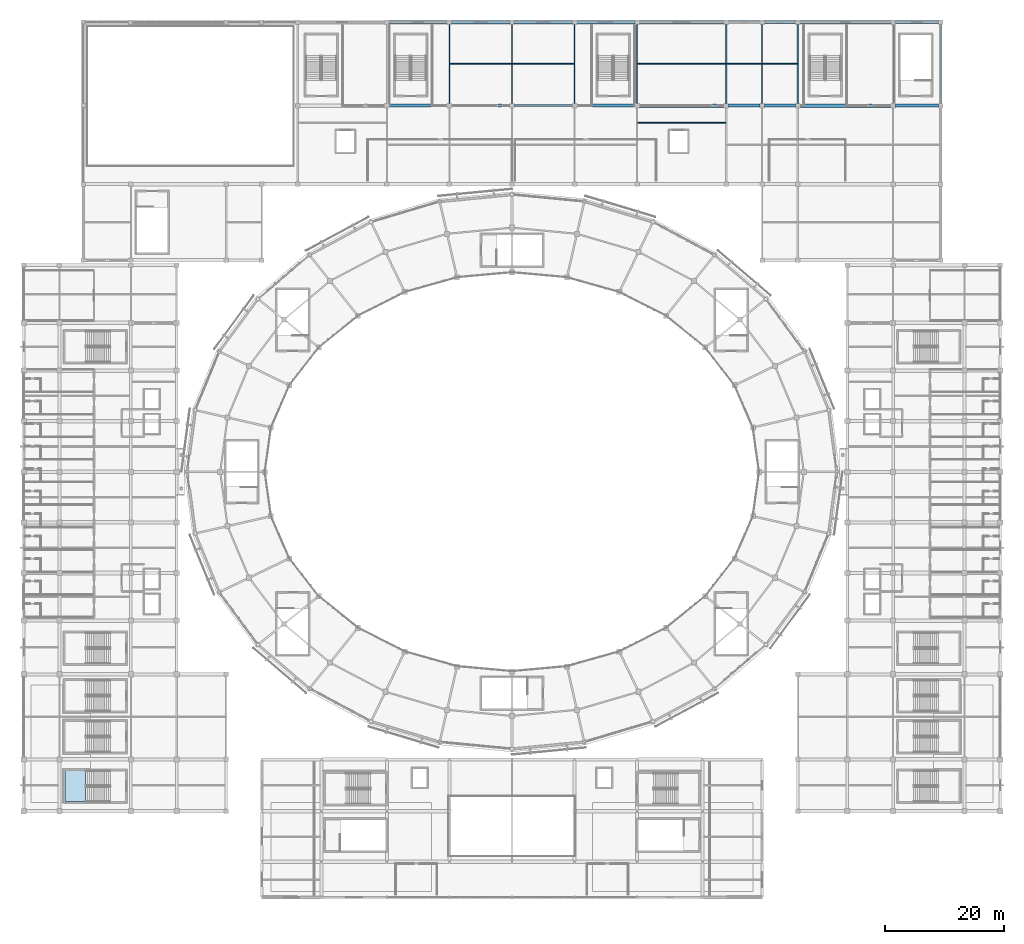
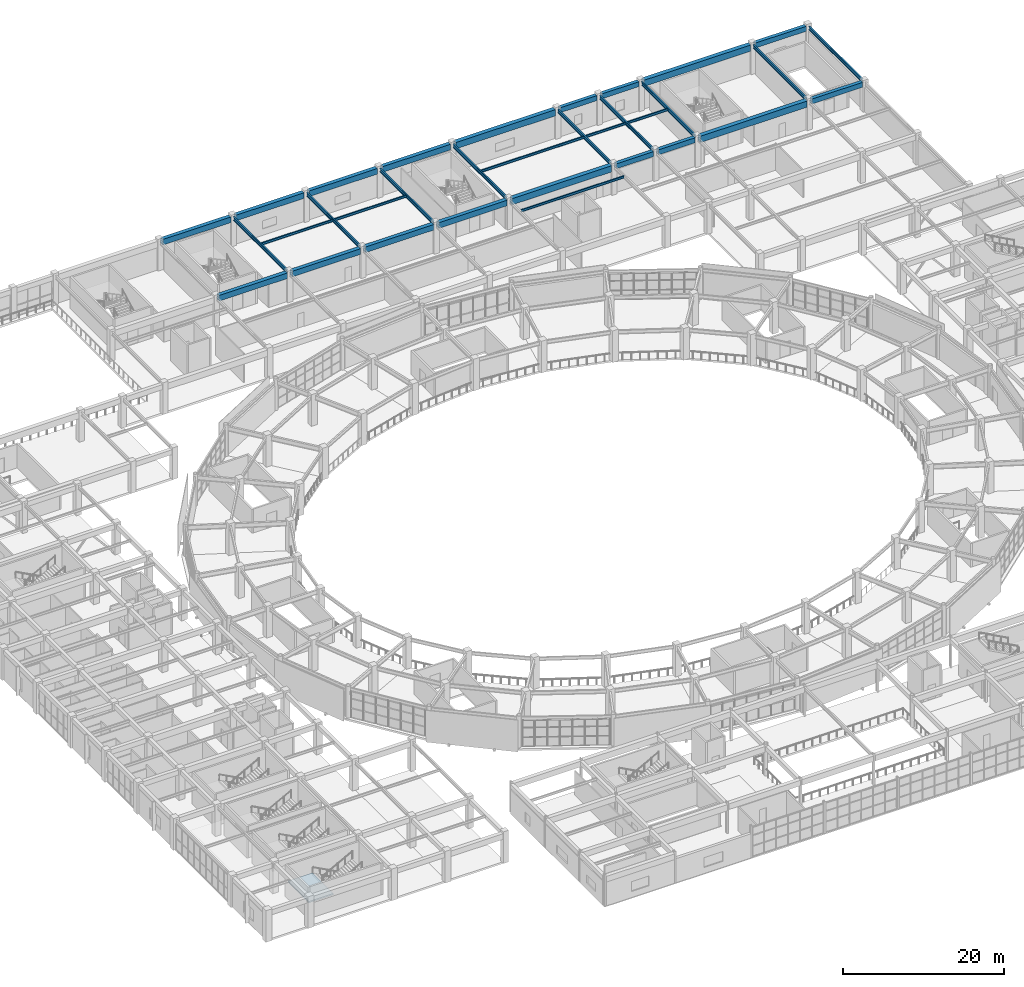
# One storey, part 65 of 112: 33 beams, 1 slab, 1 element without a shape of its own.
"""IFC4 building model written with IfcOpenShell, lengths in metres."""

from ifc_helpers import new_model, si_unit, direction, frame, origin, origin_2d, place, context, subcontext, project, spatial, polyline, rectangle, i_section, outline, extrude, material, layer, layer_set, material_profile, profile_set, type_object, element, aggregate, save


model = new_model("IFC4")

# Units and contexts
model_context = context("Model", 3, precision=1e-05, world=origin(), true_north=direction((0.0, 1.0)))
body_context = subcontext(model_context, "Body", "Model", "MODEL_VIEW")
ifc_project = project(units=[si_unit("LENGTHUNIT", "METRE"), si_unit("AREAUNIT", "SQUARE_METRE"), si_unit("VOLUMEUNIT", "CUBIC_METRE"), si_unit("PLANEANGLEUNIT", "RADIAN"), si_unit("MASSUNIT", "GRAM", prefix="KILO")], contexts=[model_context])

# Site, building, storey
site_placement = place(None, origin())
site = spatial("IfcSite", under=ifc_project, at=site_placement, CompositionType="ELEMENT")
building_placement = place(site_placement, origin())
building = spatial("IfcBuilding", under=site, at=building_placement, Name="Cuetzalor Civic Arena", CompositionType="ELEMENT")
storey_placement = place(building_placement, frame((0.0, 0.0, 11.39990234375)))
storey = spatial("IfcBuildingStorey", under=building, at=storey_placement, Name="L02", CompositionType="ELEMENT", Elevation=11.39990234375)

# Beams
ifc_material_1 = material(Name="Concrete C40/50", Category="concrete")
ifc_material_profile_1 = material_profile(ifc_material_1, rectangle(XDim=0.5, YDim=0.75, at=origin_2d()), Name="RC 500x750")
ifc_profile_set_1 = profile_set([ifc_material_profile_1], Name="Concrete C40/50")
beam_type_1 = type_object("IfcBeamType", Name="ConcreteFrameBeam_500x750", PredefinedType="BEAM", material=ifc_profile_set_1)
for number, where, z_axis, x_axis, name in (
    (1, (36.364990234375, 61.5, 4.10498046875), (1.0, 0.0, 0.0), (0.0, 1.0, 0.0), "Frame Girder V5-L02-X0804"),
    (2, (42.364990234375, 61.5, 4.10498046875), (1.0, 0.0, 0.0), (0.0, 1.0, 0.0), "Frame Girder V5-L02-X0805"),
):
    element("IfcBeam", number, at=place(storey_placement, frame(where, z_axis=z_axis, x_axis=x_axis)), inside=storey, type_object=beam_type_1, Name=name, PredefinedType="BEAM", context=body_context, shape_type="SweptSolid", body=[
        extrude(rectangle(XDim=0.5, YDim=0.75, at=origin_2d()), origin(), (0.0, 0.0, 1.0), 5.27001953125),
    ])
beam_1_placement = place(storey_placement, frame((64.364990234375, 61.5, 4.10498046875), z_axis=(1.0, 0.0, 0.0), x_axis=(0.0, 1.0, 0.0)))
element("IfcBeam", 3, at=beam_1_placement, inside=storey, type_object=beam_type_1, Name="Frame Girder V5-L02-X0807", PredefinedType="BEAM", context=body_context, shape_type="SweptSolid", body=[
    extrude(rectangle(XDim=0.5, YDim=0.75, at=origin_2d()), origin(), (0.0, 0.0, 1.0), 7.27001953125),
])
for number, where, z_axis, x_axis, name in (
    (4, (36.364990234375, 75.5, 4.10498046875), (1.0, 0.0, 0.0), (0.0, 1.0, 0.0), "Frame Girder V5-L02-X0818"),
    (5, (42.364990234375, 75.5, 4.10498046875), (1.0, 0.0, 0.0), (0.0, 1.0, 0.0), "Frame Girder V5-L02-X0819"),
):
    element("IfcBeam", number, at=place(storey_placement, frame(where, z_axis=z_axis, x_axis=x_axis)), inside=storey, type_object=beam_type_1, Name=name, PredefinedType="BEAM", context=body_context, shape_type="SweptSolid", body=[
        extrude(rectangle(XDim=0.5, YDim=0.75, at=origin_2d()), origin(), (0.0, 0.0, 1.0), 5.27001953125),
    ])
beam_2_placement = place(storey_placement, frame((64.364990234375, 75.5, 4.10498046875), z_axis=(1.0, 0.0, 0.0), x_axis=(0.0, 1.0, 0.0)))
element("IfcBeam", 6, at=beam_2_placement, inside=storey, type_object=beam_type_1, Name="Frame Girder V5-L02-X0821", PredefinedType="BEAM", context=body_context, shape_type="SweptSolid", body=[
    extrude(rectangle(XDim=0.5, YDim=0.75, at=origin_2d()), origin(), (0.0, 0.0, 1.0), 7.27001953125),
])
ifc_material_2 = material(Name="Concrete C40/50", Category="concrete")
ifc_material_profile_2 = material_profile(ifc_material_2, rectangle(XDim=0.550048828125, YDim=0.85009765625, at=origin_2d()), Name="RC 550x850")
ifc_profile_set_2 = profile_set([ifc_material_profile_2], Name="Concrete C40/50")
beam_type_2 = type_object("IfcBeamType", Name="ConcreteFrameBeam_550x850", PredefinedType="BEAM", material=ifc_profile_set_2)
for number, where, z_axis, x_axis, name in (
    (7, (-20.635009765625, 61.5, 4.05517578125), (1.0, 0.0, 0.0), (0.0, 1.0, 0.0), "Frame Girder V5-L02-X0799"),
    (8, (-10.135009765625, 61.5, 4.05517578125), (1.0, 0.0, 0.0), (0.0, 1.0, 0.0), "Frame Girder V5-L02-X0800"),
    (9, (0.364990234375, 61.5, 4.05517578125), (1.0, 0.0, 0.0), (0.0, 1.0, 0.0), "Frame Girder V5-L02-X0801"),
    (10, (10.864990234375, 61.5, 4.05517578125), (1.0, 0.0, 0.0), (0.0, 1.0, 0.0), "Frame Girder V5-L02-X0802"),
    (11, (-20.635009765625, 75.5, 4.05517578125), (1.0, 0.0, 0.0), (0.0, 1.0, 0.0), "Frame Girder V5-L02-X0813"),
    (12, (-10.135009765625, 75.5, 4.05517578125), (1.0, 0.0, 0.0), (0.0, 1.0, 0.0), "Frame Girder V5-L02-X0814"),
    (13, (0.364990234375, 75.5, 4.05517578125), (1.0, 0.0, 0.0), (0.0, 1.0, 0.0), "Frame Girder V5-L02-X0815"),
    (14, (10.864990234375, 75.5, 4.05517578125), (1.0, 0.0, 0.0), (0.0, 1.0, 0.0), "Frame Girder V5-L02-X0816"),
):
    element("IfcBeam", number, at=place(storey_placement, frame(where, z_axis=z_axis, x_axis=x_axis)), inside=storey, type_object=beam_type_2, Name=name, PredefinedType="BEAM", context=body_context, shape_type="SweptSolid", body=[
        extrude(rectangle(XDim=0.550048828125, YDim=0.85009765625, at=origin_2d()), origin(), (0.0, 0.0, 1.0), 9.77001953125),
    ])
ifc_material_3 = material(Name="Concrete C40/50", Category="concrete")
ifc_material_profile_3 = material_profile(ifc_material_3, rectangle(XDim=0.60009765625, YDim=0.949951171875, at=origin_2d()), Name="RC 600x950")
ifc_profile_set_3 = profile_set([ifc_material_profile_3], Name="Concrete C40/50")
beam_type_3 = type_object("IfcBeamType", Name="ConcreteFrameBeam_600x950", PredefinedType="BEAM", material=ifc_profile_set_3)
beam_3_placement = place(storey_placement, frame((21.364990234375, 61.5, 4.005126953125), z_axis=(1.0, 0.0, 0.0), x_axis=(0.0, 1.0, 0.0)))
element("IfcBeam", 15, at=beam_3_placement, inside=storey, type_object=beam_type_3, Name="Frame Girder V5-L02-X0803", PredefinedType="BEAM", context=body_context, shape_type="SweptSolid", body=[
    extrude(rectangle(XDim=0.60009765625, YDim=0.949951171875, at=origin_2d()), origin(), (0.0, 0.0, 1.0), 14.27001953125),
])
beam_4_placement = place(storey_placement, frame((48.364990234375, 61.5, 4.005126953125), z_axis=(1.0, 0.0, 0.0), x_axis=(0.0, 1.0, 0.0)))
element("IfcBeam", 16, at=beam_4_placement, inside=storey, type_object=beam_type_3, Name="Frame Girder V5-L02-X0806", PredefinedType="BEAM", context=body_context, shape_type="SweptSolid", body=[
    extrude(rectangle(XDim=0.60009765625, YDim=0.949951171875, at=origin_2d()), origin(), (0.0, 0.0, 1.0), 15.27001953125),
])
beam_5_placement = place(storey_placement, frame((21.364990234375, 75.5, 4.005126953125), z_axis=(1.0, 0.0, 0.0), x_axis=(0.0, 1.0, 0.0)))
element("IfcBeam", 17, at=beam_5_placement, inside=storey, type_object=beam_type_3, Name="Frame Girder V5-L02-X0817", PredefinedType="BEAM", context=body_context, shape_type="SweptSolid", body=[
    extrude(rectangle(XDim=0.60009765625, YDim=0.949951171875, at=origin_2d()), origin(), (0.0, 0.0, 1.0), 14.27001953125),
])
beam_6_placement = place(storey_placement, frame((48.364990234375, 75.5, 4.005126953125), z_axis=(1.0, 0.0, 0.0), x_axis=(0.0, 1.0, 0.0)))
element("IfcBeam", 18, at=beam_6_placement, inside=storey, type_object=beam_type_3, Name="Frame Girder V5-L02-X0820", PredefinedType="BEAM", context=body_context, shape_type="SweptSolid", body=[
    extrude(rectangle(XDim=0.60009765625, YDim=0.949951171875, at=origin_2d()), origin(), (0.0, 0.0, 1.0), 15.27001953125),
])
ifc_material_4 = material(Name="Steel S355", Category="steel")
ifc_material_profile_4 = material_profile(ifc_material_4, i_section(OverallWidth=0.1708984375, OverallDepth=0.35498046875, WebThickness=0.007080078125, FlangeThickness=0.01171875, at=origin_2d()), Name="W360x51")
ifc_profile_set_4 = profile_set([ifc_material_profile_4], Name="Steel S355")
beam_type_4 = type_object("IfcBeamType", Name="SecondaryFloorJoist_W360", PredefinedType="JOIST", material=ifc_profile_set_4)
for number, where, z_axis, x_axis, name in (
    (19, (-10.403564453125, 68.5, 4.302490234375), (1.0, 0.0, 0.0), (0.0, 1.0, 0.0), "Secondary Floor Joist V5-L02-0250"),
    (20, (0.096435546875, 68.5, 4.302490234375), (1.0, 0.0, 0.0), (0.0, 1.0, 0.0), "Secondary Floor Joist V5-L02-0252"),
):
    element("IfcBeam", number, at=place(storey_placement, frame(where, z_axis=z_axis, x_axis=x_axis)), inside=storey, type_object=beam_type_4, Name=name, PredefinedType="JOIST", context=body_context, shape_type="SweptSolid", body=[
        extrude(i_section(OverallWidth=0.1708984375, OverallDepth=0.35498046875, WebThickness=0.007080078125, FlangeThickness=0.01171875, at=origin_2d()), origin(), (0.0, 0.0, 1.0), 10.30712890625),
    ])
for number, where, z_axis, x_axis, name in (
    (21, (21.096435546875, 58.595947265625, 4.302490234375), (1.0, 0.0, 0.0), (0.0, 1.0, 0.0), "Secondary Floor Joist V5-L02-0254"),
    (22, (21.096435546875, 68.5, 4.302490234375), (1.0, 0.0, 0.0), (0.0, 1.0, 0.0), "Secondary Floor Joist V5-L02-0255"),
):
    element("IfcBeam", number, at=place(storey_placement, frame(where, z_axis=z_axis, x_axis=x_axis)), inside=storey, type_object=beam_type_4, Name=name, PredefinedType="JOIST", context=body_context, shape_type="SweptSolid", body=[
        extrude(i_section(OverallWidth=0.1708984375, OverallDepth=0.35498046875, WebThickness=0.007080078125, FlangeThickness=0.01171875, at=origin_2d()), origin(), (0.0, 0.0, 1.0), 14.80712890625),
    ])
for number, where, z_axis, x_axis, name in (
    (23, (36.096435546875, 68.5, 4.302490234375), (1.0, 0.0, 0.0), (0.0, 1.0, 0.0), "Secondary Floor Joist V5-L02-0257"),
    (24, (42.096435546875, 68.5, 4.302490234375), (1.0, 0.0, 0.0), (0.0, 1.0, 0.0), "Secondary Floor Joist V5-L02-0260"),
):
    element("IfcBeam", number, at=place(storey_placement, frame(where, z_axis=z_axis, x_axis=x_axis)), inside=storey, type_object=beam_type_4, Name=name, PredefinedType="JOIST", context=body_context, shape_type="SweptSolid", body=[
        extrude(i_section(OverallWidth=0.1708984375, OverallDepth=0.35498046875, WebThickness=0.007080078125, FlangeThickness=0.01171875, at=origin_2d()), origin(), (0.0, 0.0, 1.0), 5.80712890625),
    ])
ifc_material_5 = material(Name="Steel S355", Category="steel")
ifc_material_profile_5 = material_profile(ifc_material_5, i_section(OverallWidth=0.208984375, OverallDepth=0.532958984375, WebThickness=0.01025390625, FlangeThickness=0.015625, at=origin_2d()), Name="W530x92")
ifc_profile_set_5 = profile_set([ifc_material_profile_5], Name="Steel S355")
beam_type_5 = type_object("IfcBeamType", Name="SteelCollarGirder_W530", PredefinedType="BEAM", material=ifc_profile_set_5)
for number, where, z_axis, x_axis, name in (
    (25, (-10.5, 61.864990234375, 4.213623046875), (0.0, 1.0, 0.0), (-1.0, 0.0, 0.0), "Frame Girder V5-L02-Y0833"),
    (26, (0.0, 61.864990234375, 4.213623046875), (0.0, 1.0, 0.0), (-1.0, 0.0, 0.0), "Frame Girder V5-L02-Y0835"),
    (27, (10.5, 61.864990234375, 4.213623046875), (0.0, 1.0, 0.0), (-1.0, 0.0, 0.0), "Frame Girder V5-L02-Y0837"),
    (28, (21.0, 61.864990234375, 4.213623046875), (0.0, 1.0, 0.0), (-1.0, 0.0, 0.0), "Frame Girder V5-L02-Y0839"),
    (29, (36.0, 61.864990234375, 4.213623046875), (0.0, 1.0, 0.0), (-1.0, 0.0, 0.0), "Frame Girder V5-L02-Y0841"),
    (30, (42.0, 61.864990234375, 4.213623046875), (0.0, 1.0, 0.0), (-1.0, 0.0, 0.0), "Frame Girder V5-L02-Y0844"),
    (31, (48.0, 61.864990234375, 4.213623046875), (0.0, 1.0, 0.0), (-1.0, 0.0, 0.0), "Frame Girder V5-L02-Y0847"),
    (32, (64.0, 61.864990234375, 4.213623046875), (0.0, 1.0, 0.0), (-1.0, 0.0, 0.0), "Frame Girder V5-L02-Y0850"),
    (33, (72.0, 61.864990234375, 4.213623046875), (0.0, 1.0, 0.0), (-1.0, 0.0, 0.0), "Frame Girder V5-L02-Y0853"),
):
    element("IfcBeam", number, at=place(storey_placement, frame(where, z_axis=z_axis, x_axis=x_axis)), inside=storey, type_object=beam_type_5, Name=name, PredefinedType="BEAM", context=body_context, shape_type="SweptSolid", body=[
        extrude(i_section(OverallWidth=0.208984375, OverallDepth=0.532958984375, WebThickness=0.01025390625, FlangeThickness=0.015625, at=origin_2d()), origin(), (0.0, 0.0, 1.0), 13.27001953125),
    ])

# Stair, slab
ifc_material_6 = material(Name="Precast concrete C40/50", Category="concrete")
stair_type = type_object("IfcStairType", Name="EnclosedExitStair_H480", PredefinedType="HALF_TURN_STAIR", material=ifc_material_6)
stair_placement = place(storey_placement, origin())
stair = element("IfcStair", 34, at=stair_placement, inside=storey, type_object=stair_type, Name="L02 Enclosed Exit Stair ST-13", PredefinedType="HALF_TURN_STAIR")
ifc_material_7 = material(Name="Concrete C40/50", Category="concrete")
ifc_layer = layer(ifc_material_7, 0.199951171875)
ifc_layer_set = layer_set([ifc_layer], Name="Concrete C40/50")
slab_type = type_object("IfcSlabType", Name="StairHalfLandingSlab_200", PredefinedType="LANDING", material=ifc_layer_set)
slab_placement = place(storey_placement, frame((0.0, 0.0, 2.2001953125)))
slab = element("IfcSlab", 35, at=slab_placement, type_object=slab_type, Name="ST-13 landing 1", PredefinedType="LANDING", context=body_context, shape_type="SweptSolid", body=[
    extrude(outline(polyline([(-71.583984375, -50.199951171875), (-75.10009765625, -50.199951171875), (-75.10009765625, -55.39990234375), (-71.583984375, -55.39990234375), (-71.583984375, -50.199951171875)])), origin(), (0.0, 0.0, 1.0), 0.199951171875),
])
aggregate(stair, [slab])

save(model, "model.ifc")
